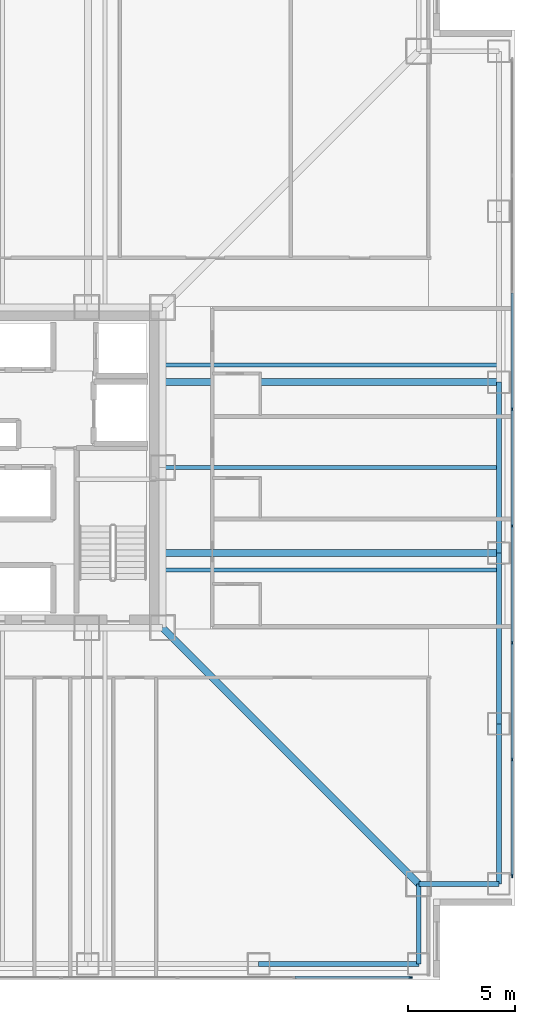
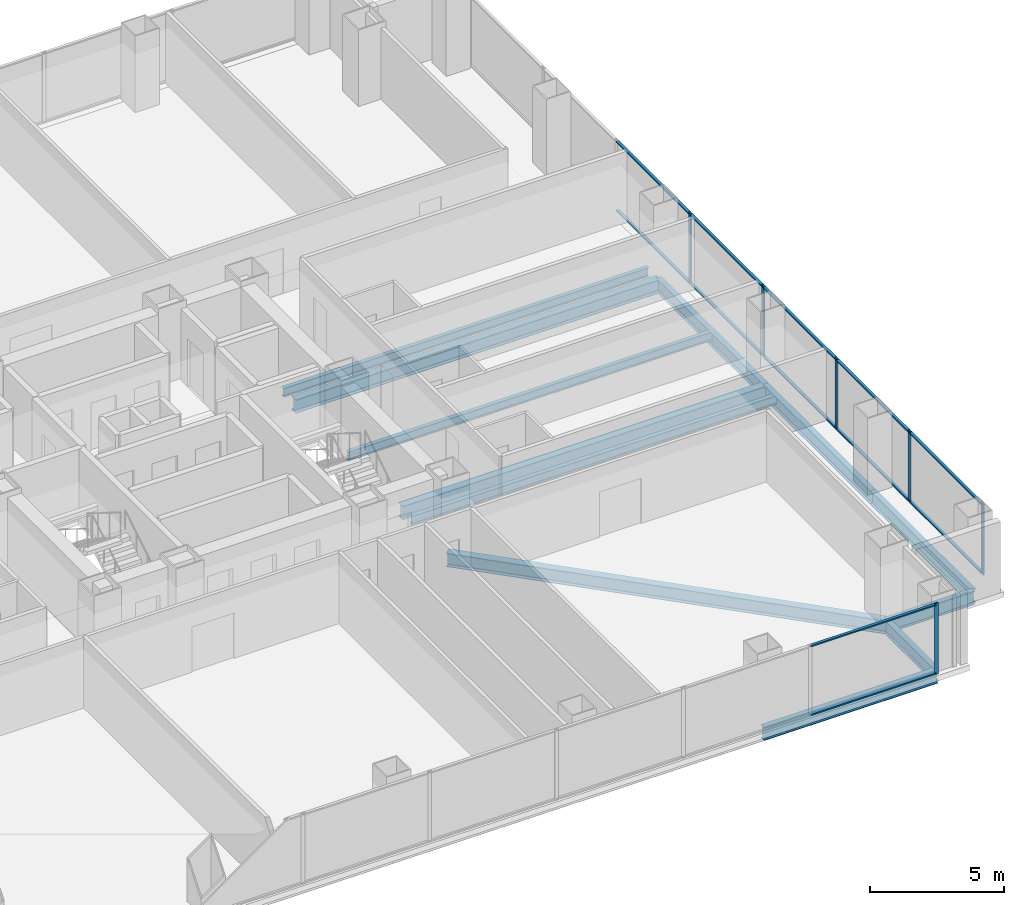
# One storey, part 6 of 16: 18 members, 12 beams, 2 elements without a shape of their own.
"""IFC4 building model written with IfcOpenShell, lengths in metres."""

from ifc_helpers import new_model, si_unit, direction, frame, origin, origin_2d, place, context, subcontext, project, spatial, rectangle, i_section, extrude, material, layer, layer_set, material_profile, profile_set, type_object, element, aggregate, save


model = new_model("IFC4")

# Units and contexts
model_context = context("Model", 3, precision=1e-05, world=origin(), true_north=direction((0.0, 1.0)))
body_context = subcontext(model_context, "Body", "Model", "MODEL_VIEW")
ifc_project = project(units=[si_unit("LENGTHUNIT", "METRE"), si_unit("AREAUNIT", "SQUARE_METRE"), si_unit("VOLUMEUNIT", "CUBIC_METRE"), si_unit("PLANEANGLEUNIT", "RADIAN"), si_unit("MASSUNIT", "GRAM", prefix="KILO")], contexts=[model_context])

# Site, building, storey
site_placement = place(None, origin())
site = spatial("IfcSite", under=ifc_project, at=site_placement, CompositionType="ELEMENT")
building_placement = place(site_placement, origin())
building = spatial("IfcBuilding", under=site, at=building_placement, Name="Trevonay Congress Spire", CompositionType="ELEMENT")
storey_placement = place(building_placement, frame((0.0, 0.0, 51.5)))
storey = spatial("IfcBuildingStorey", under=building, at=storey_placement, Name="L12", CompositionType="ELEMENT", Elevation=51.5)

# Beams
ifc_material_1 = material(Name="Steel ASTM A572 Grade 50", Category="steel")
ifc_material_profile_1 = material_profile(ifc_material_1, i_section(OverallWidth=0.324951171875, OverallDepth=0.615966796875, WebThickness=0.013916015625, FlangeThickness=0.021484375, FilletRadius=0.01806640625, at=origin_2d()), Name="W610x174")
ifc_profile_set_1 = profile_set([ifc_material_profile_1], Name="Steel ASTM A572 Grade 50")
beam_type_1 = type_object("IfcBeamType", Name="BM-GIRD-W610X174", PredefinedType="BEAM", material=ifc_profile_set_1)
beam_1_placement = place(storey_placement, frame((7.5, -7.5, -0.55810546875), z_axis=(0.707106781187, -0.707106781187, 0.0), x_axis=(0.707106781187, 0.707106781187, 0.0)))
element("IfcBeam", 1, at=beam_1_placement, inside=storey, type_object=beam_type_1, Name="L12 structural beam BM-L12-CDSE", PredefinedType="BEAM", context=body_context, shape_type="SweptSolid", body=[
    extrude(i_section(OverallWidth=0.324951171875, OverallDepth=0.615966796875, WebThickness=0.013916015625, FlangeThickness=0.021484375, FilletRadius=0.01806640625, at=origin_2d()), origin(), (0.0, 0.0, 1.0), 16.970458984375),
])
for number, where, z_axis, x_axis, name in (
    (2, (7.5, -4.0, -0.55810546875), (1.0, 0.0, 0.0), (0.0, 1.0, 0.0), "L12 structural beam BM-L12-GE-M"),
    (3, (7.5, 4.0, -0.55810546875), (1.0, 0.0, 0.0), (0.0, 1.0, 0.0), "L12 structural beam BM-L12-GE-P"),
):
    element("IfcBeam", number, at=place(storey_placement, frame(where, z_axis=z_axis, x_axis=x_axis)), inside=storey, type_object=beam_type_1, Name=name, PredefinedType="BEAM", context=body_context, shape_type="SweptSolid", body=[
        extrude(i_section(OverallWidth=0.324951171875, OverallDepth=0.615966796875, WebThickness=0.013916015625, FlangeThickness=0.021484375, FilletRadius=0.01806640625, at=origin_2d()), origin(), (0.0, 0.0, 1.0), 15.75),
    ])
ifc_material_profile_2 = material_profile(ifc_material_1, i_section(OverallWidth=0.22998046875, OverallDepth=0.616943359375, WebThickness=0.01318359375, FlangeThickness=0.022216796875, FilletRadius=0.01611328125, at=origin_2d()), Name="W610x140")
ifc_profile_set_2 = profile_set([ifc_material_profile_2], Name="Steel ASTM A572 Grade 50")
beam_type_2 = type_object("IfcBeamType", Name="BM-RING-W610X140", PredefinedType="BEAM", material=ifc_profile_set_2)
beam_2_placement = place(storey_placement, frame((23.25, -19.5, -0.55859375), z_axis=(0.0, 1.0, 0.0), x_axis=(-1.0, 0.0, 0.0)))
element("IfcBeam", 4, at=beam_2_placement, inside=storey, type_object=beam_type_2, Name="L12 structural beam BM-L12-PE1", PredefinedType="BEAM", context=body_context, shape_type="SweptSolid", body=[
    extrude(i_section(OverallWidth=0.22998046875, OverallDepth=0.616943359375, WebThickness=0.01318359375, FlangeThickness=0.022216796875, FilletRadius=0.01611328125, at=origin_2d()), origin(), (0.0, 0.0, 1.0), 7.5),
])
for number, where, z_axis, x_axis, name in (
    (5, (23.25, -12.0, -0.55859375), (0.0, 1.0, 0.0), (-1.0, 0.0, 0.0), "L12 structural beam BM-L12-PE2"),
    (6, (23.25, -4.0, -0.55859375), (0.0, 1.0, 0.0), (-1.0, 0.0, 0.0), "L12 structural beam BM-L12-PE3"),
):
    element("IfcBeam", number, at=place(storey_placement, frame(where, z_axis=z_axis, x_axis=x_axis)), inside=storey, type_object=beam_type_2, Name=name, PredefinedType="BEAM", context=body_context, shape_type="SweptSolid", body=[
        extrude(i_section(OverallWidth=0.22998046875, OverallDepth=0.616943359375, WebThickness=0.01318359375, FlangeThickness=0.022216796875, FilletRadius=0.01611328125, at=origin_2d()), origin(), (0.0, 0.0, 1.0), 8.0),
    ])
beam_3_placement = place(storey_placement, frame((12.0, -23.25, -0.55859375), z_axis=(1.0, 0.0, 0.0), x_axis=(0.0, 1.0, 0.0)))
element("IfcBeam", 7, at=beam_3_placement, inside=storey, type_object=beam_type_2, Name="L12 structural beam BM-L12-PS5", PredefinedType="BEAM", context=body_context, shape_type="SweptSolid", body=[
    extrude(i_section(OverallWidth=0.22998046875, OverallDepth=0.616943359375, WebThickness=0.01318359375, FlangeThickness=0.022216796875, FilletRadius=0.01611328125, at=origin_2d()), origin(), (0.0, 0.0, 1.0), 7.5),
])
for number, where, z_axis, x_axis, name in (
    (8, (19.5, -23.25, -0.55859375), (0.0, 1.0, 0.0), (-1.0, 0.0, 0.0), "L12 structural beam BM-L12-N1SE"),
    (9, (23.25, -19.5, -0.55859375), (-1.0, 0.0, 0.0), (0.0, -1.0, 0.0), "L12 structural beam BM-L12-N2SE"),
):
    element("IfcBeam", number, at=place(storey_placement, frame(where, z_axis=z_axis, x_axis=x_axis)), inside=storey, type_object=beam_type_2, Name=name, PredefinedType="BEAM", context=body_context, shape_type="SweptSolid", body=[
        extrude(i_section(OverallWidth=0.22998046875, OverallDepth=0.616943359375, WebThickness=0.01318359375, FlangeThickness=0.022216796875, FilletRadius=0.01611328125, at=origin_2d()), origin(), (0.0, 0.0, 1.0), 3.75),
    ])

# Curtain wall, member
ifc_material_2 = material(Name="Pale Anodised Aluminium EN AW-6063-T6", Category="aluminium")
ifc_layer = layer(ifc_material_2, 0.179931640625, Name="Pale Anodised Aluminium EN AW-6063-T6")
ifc_layer_set = layer_set([ifc_layer], Name="Pale Anodised Aluminium EN AW-6063-T6")
curtain_wall_type = type_object("IfcCurtainWallType", Name="CW-SYS02-HOTEL-PALE-METAL", PredefinedType="NOTDEFINED", material=ifc_layer_set)
curtain_wall_1_placement = place(storey_placement, origin())
curtain_wall_1 = element("IfcCurtainWall", 10, at=curtain_wall_1_placement, inside=storey, type_object=curtain_wall_type, Name="L12 S unitised curtain wall", PredefinedType="NOTDEFINED")
ifc_material_profile_3 = material_profile(ifc_material_2, rectangle(XDim=0.06005859375, YDim=0.159912109375, at=origin_2d()), Name="CW-MULLION-160-ALUMINIUM")
ifc_profile_set_3 = profile_set([ifc_material_profile_3], Name="Pale Anodised Aluminium EN AW-6063-T6")
member_type_1 = type_object("IfcMemberType", Name="CW-MULLION-160-ALUMINIUM", PredefinedType="MULLION", material=ifc_profile_set_3)
member_1_placement = place(storey_placement, frame((19.1201171875, -23.8798828125, 0.0), z_axis=(0.0, 0.0, 1.0), x_axis=(0.0, 1.0, 0.0)))
member_1 = element("IfcMember", 11, at=member_1_placement, type_object=member_type_1, Name="CW02 mullion 8", PredefinedType="MULLION", context=body_context, shape_type="SweptSolid", body=[
    extrude(rectangle(XDim=0.06005859375, YDim=0.159912109375, at=origin_2d()), origin(), (0.0, 0.0, 1.0), 3.25),
])

# Curtain wall, members
curtain_wall_2_placement = place(storey_placement, origin())
curtain_wall_2 = element("IfcCurtainWall", 12, at=curtain_wall_2_placement, inside=storey, type_object=curtain_wall_type, Name="L12 E unitised curtain wall", PredefinedType="NOTDEFINED")
member_2_placement = place(storey_placement, frame((23.8798828125, -19.1201171875, 0.0), z_axis=(0.0, 0.0, 1.0), x_axis=(-1.0, 0.0, 0.0)))
member_2 = element("IfcMember", 13, at=member_2_placement, type_object=member_type_1, Name="CW02 mullion 1", PredefinedType="MULLION", context=body_context, shape_type="SweptSolid", body=[
    extrude(rectangle(XDim=0.06005859375, YDim=0.159912109375, at=origin_2d()), origin(), (0.0, 0.0, 1.0), 3.25),
])
member_3_placement = place(storey_placement, frame((23.8798828125, -13.678466796875, 0.0), z_axis=(0.0, 0.0, 1.0), x_axis=(-1.0, 0.0, 0.0)))
member_3 = element("IfcMember", 14, at=member_3_placement, type_object=member_type_1, Name="CW02 mullion 2", PredefinedType="MULLION", context=body_context, shape_type="SweptSolid", body=[
    extrude(rectangle(XDim=0.06005859375, YDim=0.159912109375, at=origin_2d()), origin(), (0.0, 0.0, 1.0), 3.25),
])
member_4_placement = place(storey_placement, frame((23.8798828125, -8.20703125, 0.0), z_axis=(0.0, 0.0, 1.0), x_axis=(-1.0, 0.0, 0.0)))
member_4 = element("IfcMember", 15, at=member_4_placement, type_object=member_type_1, Name="CW02 mullion 3", PredefinedType="MULLION", context=body_context, shape_type="SweptSolid", body=[
    extrude(rectangle(XDim=0.06005859375, YDim=0.159912109375, at=origin_2d()), origin(), (0.0, 0.0, 1.0), 3.25),
])
member_5_placement = place(storey_placement, frame((23.8798828125, -2.735595703125, 0.0), z_axis=(0.0, 0.0, 1.0), x_axis=(-1.0, 0.0, 0.0)))
member_5 = element("IfcMember", 16, at=member_5_placement, type_object=member_type_1, Name="CW02 mullion 4", PredefinedType="MULLION", context=body_context, shape_type="SweptSolid", body=[
    extrude(rectangle(XDim=0.06005859375, YDim=0.159912109375, at=origin_2d()), origin(), (0.0, 0.0, 1.0), 3.25),
])
member_6_placement = place(storey_placement, frame((23.8798828125, 2.735595703125, 0.0), z_axis=(0.0, 0.0, 1.0), x_axis=(-1.0, 0.0, 0.0)))
member_6 = element("IfcMember", 17, at=member_6_placement, type_object=member_type_1, Name="CW02 mullion 5", PredefinedType="MULLION", context=body_context, shape_type="SweptSolid", body=[
    extrude(rectangle(XDim=0.06005859375, YDim=0.159912109375, at=origin_2d()), origin(), (0.0, 0.0, 1.0), 3.25),
])

# Member
ifc_material_profile_4 = material_profile(ifc_material_2, rectangle(XDim=0.1201171875, YDim=0.06005859375, at=origin_2d()), Name="CW-TRANSOM-120-ALUMINIUM")
ifc_profile_set_4 = profile_set([ifc_material_profile_4], Name="Pale Anodised Aluminium EN AW-6063-T6")
member_type_2 = type_object("IfcMemberType", Name="CW-TRANSOM-120-ALUMINIUM", PredefinedType="USERDEFINED", material=ifc_profile_set_4)
member_7_placement = place(storey_placement, frame((13.70849609375, -23.8798828125, 0.06005859375), z_axis=(1.0, 0.0, 0.0), x_axis=(0.0, 1.0, 0.0)))
member_7 = element("IfcMember", 18, at=member_7_placement, type_object=member_type_2, Name="CW02 transom 7.1", ObjectType="TRANSOM", PredefinedType="USERDEFINED", context=body_context, shape_type="SweptSolid", body=[
    extrude(rectangle(XDim=0.1201171875, YDim=0.06005859375, at=origin_2d()), origin(), (0.0, 0.0, 1.0), 5.381591796875),
])

member_8_placement = place(storey_placement, frame((13.70849609375, -23.8798828125, 3.18994140625), z_axis=(1.0, 0.0, 0.0), x_axis=(0.0, 1.0, 0.0)))
member_8 = element("IfcMember", 19, at=member_8_placement, type_object=member_type_2, Name="CW02 transom 7.2", ObjectType="TRANSOM", PredefinedType="USERDEFINED", context=body_context, shape_type="SweptSolid", body=[
    extrude(rectangle(XDim=0.1201171875, YDim=0.06005859375, at=origin_2d()), origin(), (0.0, 0.0, 1.0), 5.381591796875),
])

aggregate(curtain_wall_1, [member_1, member_7, member_8])

member_9_placement = place(storey_placement, frame((23.8798828125, -19.090087890625, 0.06005859375), z_axis=(0.0, 1.0, 0.0), x_axis=(-1.0, 0.0, 0.0)))
member_9 = element("IfcMember", 20, at=member_9_placement, type_object=member_type_2, Name="CW02 transom 1.1", ObjectType="TRANSOM", PredefinedType="USERDEFINED", context=body_context, shape_type="SweptSolid", body=[
    extrude(rectangle(XDim=0.1201171875, YDim=0.06005859375, at=origin_2d()), origin(), (0.0, 0.0, 1.0), 5.381591796875),
])

member_10_placement = place(storey_placement, frame((23.8798828125, -19.090087890625, 3.18994140625), z_axis=(0.0, 1.0, 0.0), x_axis=(-1.0, 0.0, 0.0)))
member_10 = element("IfcMember", 21, at=member_10_placement, type_object=member_type_2, Name="CW02 transom 1.2", ObjectType="TRANSOM", PredefinedType="USERDEFINED", context=body_context, shape_type="SweptSolid", body=[
    extrude(rectangle(XDim=0.1201171875, YDim=0.06005859375, at=origin_2d()), origin(), (0.0, 0.0, 1.0), 5.381591796875),
])

member_11_placement = place(storey_placement, frame((23.8798828125, -13.648681640625, 0.06005859375), z_axis=(0.0, 1.0, 0.0), x_axis=(-1.0, 0.0, 0.0)))
member_11 = element("IfcMember", 22, at=member_11_placement, type_object=member_type_2, Name="CW02 transom 2.1", ObjectType="TRANSOM", PredefinedType="USERDEFINED", context=body_context, shape_type="SweptSolid", body=[
    extrude(rectangle(XDim=0.1201171875, YDim=0.06005859375, at=origin_2d()), origin(), (0.0, 0.0, 1.0), 5.41162109375),
])

member_12_placement = place(storey_placement, frame((23.8798828125, -13.648681640625, 3.18994140625), z_axis=(0.0, 1.0, 0.0), x_axis=(-1.0, 0.0, 0.0)))
member_12 = element("IfcMember", 23, at=member_12_placement, type_object=member_type_2, Name="CW02 transom 2.2", ObjectType="TRANSOM", PredefinedType="USERDEFINED", context=body_context, shape_type="SweptSolid", body=[
    extrude(rectangle(XDim=0.1201171875, YDim=0.06005859375, at=origin_2d()), origin(), (0.0, 0.0, 1.0), 5.41162109375),
])

member_13_placement = place(storey_placement, frame((23.8798828125, -8.17724609375, 0.06005859375), z_axis=(0.0, 1.0, 0.0), x_axis=(-1.0, 0.0, 0.0)))
member_13 = element("IfcMember", 24, at=member_13_placement, type_object=member_type_2, Name="CW02 transom 3.1", ObjectType="TRANSOM", PredefinedType="USERDEFINED", context=body_context, shape_type="SweptSolid", body=[
    extrude(rectangle(XDim=0.1201171875, YDim=0.06005859375, at=origin_2d()), origin(), (0.0, 0.0, 1.0), 5.41162109375),
])

member_14_placement = place(storey_placement, frame((23.8798828125, -8.17724609375, 3.18994140625), z_axis=(0.0, 1.0, 0.0), x_axis=(-1.0, 0.0, 0.0)))
member_14 = element("IfcMember", 25, at=member_14_placement, type_object=member_type_2, Name="CW02 transom 3.2", ObjectType="TRANSOM", PredefinedType="USERDEFINED", context=body_context, shape_type="SweptSolid", body=[
    extrude(rectangle(XDim=0.1201171875, YDim=0.06005859375, at=origin_2d()), origin(), (0.0, 0.0, 1.0), 5.41162109375),
])

member_15_placement = place(storey_placement, frame((23.8798828125, -2.705810546875, 0.06005859375), z_axis=(0.0, 1.0, 0.0), x_axis=(-1.0, 0.0, 0.0)))
member_15 = element("IfcMember", 26, at=member_15_placement, type_object=member_type_2, Name="CW02 transom 4.1", ObjectType="TRANSOM", PredefinedType="USERDEFINED", context=body_context, shape_type="SweptSolid", body=[
    extrude(rectangle(XDim=0.1201171875, YDim=0.06005859375, at=origin_2d()), origin(), (0.0, 0.0, 1.0), 5.41162109375),
])

member_16_placement = place(storey_placement, frame((23.8798828125, -2.705810546875, 3.18994140625), z_axis=(0.0, 1.0, 0.0), x_axis=(-1.0, 0.0, 0.0)))
member_16 = element("IfcMember", 27, at=member_16_placement, type_object=member_type_2, Name="CW02 transom 4.2", ObjectType="TRANSOM", PredefinedType="USERDEFINED", context=body_context, shape_type="SweptSolid", body=[
    extrude(rectangle(XDim=0.1201171875, YDim=0.06005859375, at=origin_2d()), origin(), (0.0, 0.0, 1.0), 5.41162109375),
])

member_17_placement = place(storey_placement, frame((23.8798828125, 2.765625, 0.06005859375), z_axis=(0.0, 1.0, 0.0), x_axis=(-1.0, 0.0, 0.0)))
member_17 = element("IfcMember", 28, at=member_17_placement, type_object=member_type_2, Name="CW02 transom 5.1", ObjectType="TRANSOM", PredefinedType="USERDEFINED", context=body_context, shape_type="SweptSolid", body=[
    extrude(rectangle(XDim=0.1201171875, YDim=0.06005859375, at=origin_2d()), origin(), (0.0, 0.0, 1.0), 5.41162109375),
])

member_18_placement = place(storey_placement, frame((23.8798828125, 2.765625, 3.18994140625), z_axis=(0.0, 1.0, 0.0), x_axis=(-1.0, 0.0, 0.0)))
member_18 = element("IfcMember", 29, at=member_18_placement, type_object=member_type_2, Name="CW02 transom 5.2", ObjectType="TRANSOM", PredefinedType="USERDEFINED", context=body_context, shape_type="SweptSolid", body=[
    extrude(rectangle(XDim=0.1201171875, YDim=0.06005859375, at=origin_2d()), origin(), (0.0, 0.0, 1.0), 5.41162109375),
])

aggregate(curtain_wall_2, [member_2, member_3, member_4, member_5, member_6, member_9, member_10, member_11, member_12, member_13, member_14, member_15, member_16, member_17, member_18])

# Beams
ifc_material_profile_5 = material_profile(ifc_material_1, i_section(OverallWidth=0.177978515625, OverallDepth=0.406982421875, WebThickness=0.0078125, FlangeThickness=0.0126953125, FilletRadius=0.012939453125, at=origin_2d()), Name="W410x60")
ifc_profile_set_5 = profile_set([ifc_material_profile_5], Name="Steel ASTM A572 Grade 50")
beam_type_3 = type_object("IfcBeamType", Name="JS-COMP-W410X60", PredefinedType="JOIST", material=ifc_profile_set_5)
for number, where, z_axis, x_axis, name in (
    (30, (7.5, -4.800048828125, -0.45361328125), (1.0, 0.0, 0.0), (0.0, 1.0, 0.0), "L12 structural beam JS-L12-EW-E1"),
    (31, (7.5, 0.0, -0.45361328125), (1.0, 0.0, 0.0), (0.0, 1.0, 0.0), "L12 structural beam JS-L12-EW-E2"),
    (32, (7.5, 4.800048828125, -0.45361328125), (1.0, 0.0, 0.0), (0.0, 1.0, 0.0), "L12 structural beam JS-L12-EW-E3"),
):
    element("IfcBeam", number, at=place(storey_placement, frame(where, z_axis=z_axis, x_axis=x_axis)), inside=storey, type_object=beam_type_3, Name=name, PredefinedType="JOIST", context=body_context, shape_type="SweptSolid", body=[
        extrude(i_section(OverallWidth=0.177978515625, OverallDepth=0.406982421875, WebThickness=0.0078125, FlangeThickness=0.0126953125, FilletRadius=0.012939453125, at=origin_2d()), origin(), (0.0, 0.0, 1.0), 15.75),
    ])

save(model, "model.ifc")
